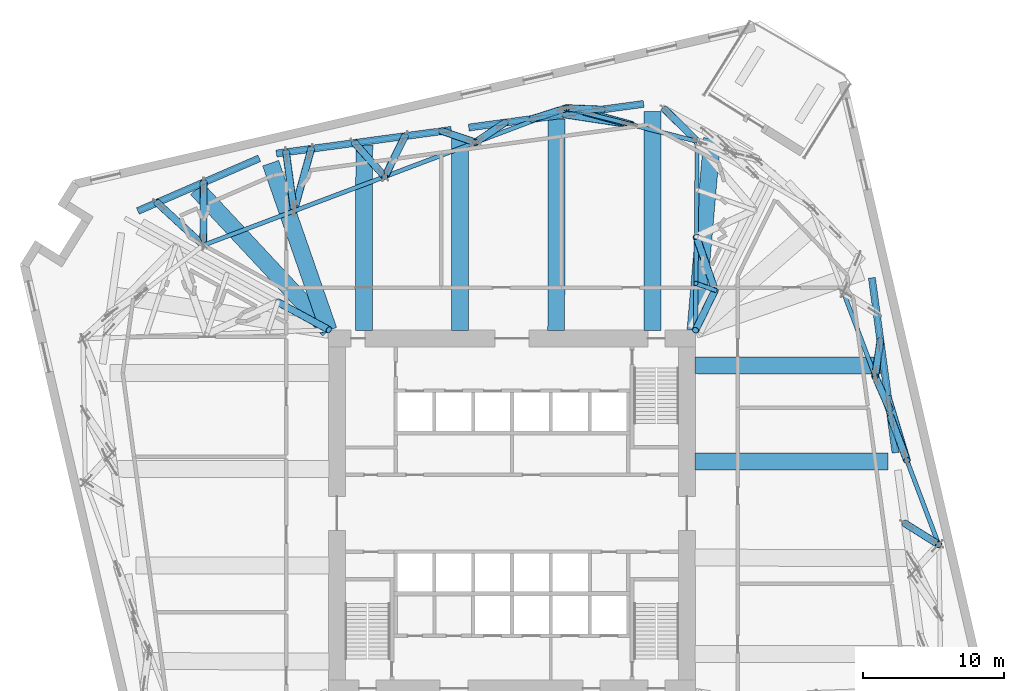
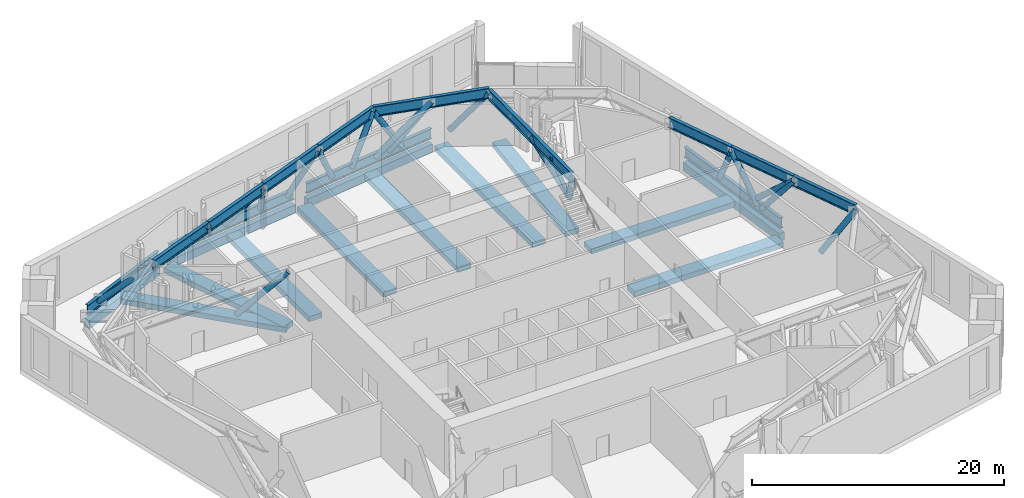
# One storey, part 3 of 17: 27 beams, 22 members.
"""IFC4 building model written with IfcOpenShell, lengths in metres."""

import ifcopenshell
import ifcopenshell.guid

model = None  # the IFC model being written
_history = None  # IfcOwnerHistory: only IFC2X3 demands one
_inside = {}  # id of a spatial element -> (the spatial element, [elements in it])
_under = {}  # id of a project, library or spatial element -> (it, [spatial elements below it])
_declared = {}  # id of a project -> (the project, [libraries it declares])
_typed = {}  # id of a type object -> (the type object, [elements of that type])
_made_of = {}  # id of a material, layer set ... -> (it, [elements and type objects made of it])


def new_model(schema):
    """Start an empty IFC model of exactly this schema.

    Asked for "IFC4X3", IfcOpenShell would pick the latest addendum, in which some entities
    have other attributes; the version numbers below select the first issue.
    IFC2X3 requires an IfcOwnerHistory on every rooted entity: one is made here for all.
    """
    global model, _history
    if schema == "IFC4X3":
        model = ifcopenshell.file(schema_version=(4, 3, 0, 0))
    else:
        model = ifcopenshell.file(schema=schema)
    _inside.clear()
    _under.clear()
    _declared.clear()
    _typed.clear()
    _made_of.clear()
    _history = None
    if model.schema == "IFC2X3":
        org = make("IfcOrganization", Name="unknown")
        user = make(
            "IfcPersonAndOrganization",
            ThePerson=make("IfcPerson", FamilyName="unknown"),
            TheOrganization=org,
        )
        app = make(
            "IfcApplication",
            ApplicationDeveloper=org,
            Version="unknown",
            ApplicationFullName="unknown",
            ApplicationIdentifier="unknown",
        )
        _history = make(
            "IfcOwnerHistory",
            OwningUser=user,
            OwningApplication=app,
            ChangeAction="ADDED",
            CreationDate=0,
        )
    return model


def make(cls, **values):
    """One entity of the class cls with the attributes given. An attribute that is None is left unset."""
    return model.create_entity(
        cls, **{name: value for name, value in values.items() if value is not None}
    )


def rooted(cls, **values):
    """An entity with a GlobalId (a new one), such as an element, a storey or a relation."""
    return make(cls, GlobalId=ifcopenshell.guid.new(), OwnerHistory=_history, **values)


def si_unit(unit_type, name, prefix=None):
    """IfcSIUnit, for example si_unit("LENGTHUNIT", "METRE", prefix="MILLI")."""
    return make("IfcSIUnit", UnitType=unit_type, Prefix=prefix, Name=name)


def assignment(units):
    """IfcUnitAssignment: the units of a project."""
    return None if units is None else make("IfcUnitAssignment", Units=units)


def point(xyz):
    """IfcCartesianPoint."""
    return None if xyz is None else make("IfcCartesianPoint", Coordinates=xyz)


def direction(xyz):
    """IfcDirection."""
    return None if xyz is None else make("IfcDirection", DirectionRatios=xyz)


def frame(location, z_axis=None, x_axis=None):
    """IfcAxis2Placement3D, a coordinate frame: its origin and axes. An axis left out is left unset."""
    return make(
        "IfcAxis2Placement3D",
        Location=point(location),
        Axis=direction(z_axis),
        RefDirection=direction(x_axis),
    )


def frame_2d(location, x_axis=None):
    """IfcAxis2Placement2D, a coordinate frame in the plane: its origin and x axis."""
    return make(
        "IfcAxis2Placement2D", Location=point(location), RefDirection=direction(x_axis)
    )


def origin():
    """The frame at (0, 0, 0) with its axes left unset."""
    return frame((0.0, 0.0, 0.0))


def origin_2d():
    """The frame at (0, 0) in the plane with its x axis left unset."""
    return frame_2d((0.0, 0.0))


def place(relative_to, where):
    """IfcLocalPlacement: puts the frame where relative to a parent placement (None: the world)."""
    return make(
        "IfcLocalPlacement", PlacementRelTo=relative_to, RelativePlacement=where
    )


def context(
    kind, dimensions, precision=None, world=None, true_north=None, identifier=None
):
    """IfcGeometricRepresentationContext, for example the 3D "Model" context."""
    return make(
        "IfcGeometricRepresentationContext",
        ContextIdentifier=identifier,
        ContextType=kind,
        CoordinateSpaceDimension=dimensions,
        Precision=precision,
        WorldCoordinateSystem=world,
        TrueNorth=true_north,
    )


def subcontext(parent, identifier, kind, view, scale=None):
    """IfcGeometricRepresentationSubContext, for example "Body" below "Model"."""
    return make(
        "IfcGeometricRepresentationSubContext",
        ContextIdentifier=identifier,
        ContextType=kind,
        ParentContext=parent,
        TargetScale=scale,
        TargetView=view,
    )


def project(units=None, contexts=None):
    """IfcProject with its units and contexts."""
    return rooted(
        "IfcProject",
        Name="project",
        RepresentationContexts=contexts,
        UnitsInContext=assignment(units),
    )


def spatial(cls, under=None, at=None, **own):
    """A site, building, storey or space (cls), placed at a placement, below another one or the project."""
    s = rooted(cls, ObjectPlacement=at, **own)
    if under is not None:
        _under.setdefault(under.id(), (under, []))[1].append(s)
    return s


def profile(cls, at=None, kind="AREA", **sizes):
    """A parametric profile (cls). Its sizes go by their IFC names, for example OverallWidth=200.0."""
    return make(cls, ProfileType=kind, Position=at, **sizes)


def rectangle(**sizes):
    """IfcRectangleProfileDef."""
    return profile("IfcRectangleProfileDef", **sizes)


def hollow_circle(**sizes):
    """IfcCircleHollowProfileDef."""
    return profile("IfcCircleHollowProfileDef", **sizes)


def i_section(**sizes):
    """IfcIShapeProfileDef."""
    return profile("IfcIShapeProfileDef", **sizes)


def extrude(swept, where, along, depth):
    """IfcExtrudedAreaSolid: the profile swept, set in the frame where, extruded along a direction by depth."""
    return make(
        "IfcExtrudedAreaSolid",
        SweptArea=swept,
        Position=where,
        ExtrudedDirection=direction(along),
        Depth=depth,
    )


def shape(context_of_items, identifier, shape_type, items):
    """IfcShapeRepresentation: the items that make up one representation, for example the "Body"."""
    return make(
        "IfcShapeRepresentation",
        ContextOfItems=context_of_items,
        RepresentationIdentifier=identifier,
        RepresentationType=shape_type,
        Items=items,
    )


def material(Name=None, Category=None):
    """IfcMaterial."""
    return make("IfcMaterial", Name=Name, Category=Category)


def material_profile(
    of_material, cross_section, Name=None, Category=None, Priority=None
):
    """IfcMaterialProfile: a cross section and its material."""
    return make(
        "IfcMaterialProfile",
        Name=Name,
        Material=of_material,
        Profile=cross_section,
        Priority=Priority,
        Category=Category,
    )


def profile_set(profiles, Name=None, composite=None):
    """IfcMaterialProfileSet."""
    return make(
        "IfcMaterialProfileSet",
        Name=Name,
        MaterialProfiles=profiles,
        CompositeProfile=composite,
    )


def made_of(thing, what):
    """Note that an element or type object is made of a material, layer set ...; save() writes the relation."""
    if what is not None:
        _made_of.setdefault(what.id(), (what, []))[1].append(thing)
    return thing


def type_object(cls, material=None, **own):
    """A type object (cls), such as IfcWallType, which elements share."""
    return made_of(rooted(cls, **own), material)


def element(
    cls,
    number,
    at=None,
    inside=None,
    cuts=None,
    type_object=None,
    material=None,
    context=None,
    identifier="Body",
    shape_type=None,
    held_by="IfcProductDefinitionShape",
    body=None,
    shapes=None,
    **own,
):
    """One element of the class cls, such as IfcWall. Its Tag is "e" and its number.

    at: its placement. inside: the storey or other place that contains it. cuts: it is an
    opening in that element (IfcRelVoidsElement). A single representation is given by context,
    identifier, shape_type and body (its items); several are given by shapes. held_by: the class
    of the entity that holds the representations. save() writes the other relations.
    """
    e = rooted(cls, Tag="e%d" % number, ObjectPlacement=at, **own)
    if body is not None:
        shapes = [shape(context, identifier, shape_type, body)]
    if shapes is not None:
        e.Representation = make(held_by, Representations=shapes)
    if inside is not None:
        _inside.setdefault(inside.id(), (inside, []))[1].append(e)
    if cuts is not None:
        rooted(
            "IfcRelVoidsElement", RelatingBuildingElement=cuts, RelatedOpeningElement=e
        )
    if type_object is not None:
        _typed.setdefault(type_object.id(), (type_object, []))[1].append(e)
    return made_of(e, material)


def aggregate(whole, parts):
    """IfcRelAggregates: a whole, such as a stair, and the parts it consists of."""
    return rooted("IfcRelAggregates", RelatingObject=whole, RelatedObjects=parts)


def save(model, path):
    """Write the relations noted so far, then the file.

    IfcRelAggregates (storeys below a building ...), IfcRelContainedInSpatialStructure (elements
    in a storey), IfcRelDefinesByType, IfcRelAssociatesMaterial and IfcRelDeclares: one each for
    every whole, place, type object, material and project.
    """
    for whole, parts in _under.values():
        aggregate(whole, parts)
    for where, things in _inside.values():
        rooted(
            "IfcRelContainedInSpatialStructure",
            RelatedElements=things,
            RelatingStructure=where,
        )
    for kind, things in _typed.values():
        rooted("IfcRelDefinesByType", RelatedObjects=things, RelatingType=kind)
    for what, things in _made_of.values():
        rooted("IfcRelAssociatesMaterial", RelatedObjects=things, RelatingMaterial=what)
    for by, libraries in _declared.values():
        rooted("IfcRelDeclares", RelatingContext=by, RelatedDefinitions=libraries)
    model.write(path)


model = new_model("IFC4")

# Units and contexts
model_context = context("Model", 3, precision=1e-05, world=origin(), true_north=direction((0.0, 1.0)))
body_context = subcontext(model_context, "Body", "Model", "MODEL_VIEW")
ifc_project = project(units=[si_unit("LENGTHUNIT", "METRE"), si_unit("AREAUNIT", "SQUARE_METRE"), si_unit("VOLUMEUNIT", "CUBIC_METRE"), si_unit("PLANEANGLEUNIT", "RADIAN"), si_unit("MASSUNIT", "GRAM", prefix="KILO")], contexts=[model_context])

# Site, building, storey
site_placement = place(None, origin())
site = spatial("IfcSite", under=ifc_project, at=site_placement, CompositionType="ELEMENT")
building_placement = place(site_placement, origin())
building = spatial("IfcBuilding", under=site, at=building_placement, Name="Dilmun Exchange Tower", CompositionType="ELEMENT")
storey_placement = place(building_placement, frame((0.0, 0.0, 76.5)))
storey = spatial("IfcBuildingStorey", under=building, at=storey_placement, Name="L17", CompositionType="ELEMENT", Elevation=76.5)

# Beams
ifc_material_1 = material(Name="Concrete C40/50", Category="concrete")
ifc_material_profile_1 = material_profile(ifc_material_1, rectangle(XDim=1.199951171875, YDim=0.5, at=origin_2d()), Name="1200 x 500")
ifc_profile_set_1 = profile_set([ifc_material_profile_1], Name="Concrete C40/50")
beam_type_1 = type_object("IfcBeamType", Name="RC band beam 1200 x 500 C40/50", PredefinedType="BEAM", material=ifc_profile_set_1)
beam_1_placement = place(storey_placement, frame((9.945068359375, 28.464111328125, -0.699951171875), z_axis=(0.0, -1.0, 0.0), x_axis=(1.0, 0.0, 0.0)))
element("IfcBeam", 1, at=beam_1_placement, inside=storey, type_object=beam_type_1, Name="Band beam 2", PredefinedType="BEAM", context=body_context, shape_type="SweptSolid", body=[
    extrude(rectangle(XDim=1.199951171875, YDim=0.5, at=origin_2d()), origin(), (0.0, 0.0, 1.0), 15.4912109375),
])
beam_2_placement = place(storey_placement, frame((-3.680908203125, 26.6240234375, -0.699951171875), z_axis=(0.0, -1.0, 0.0), x_axis=(1.0, 0.0, 0.0)))
element("IfcBeam", 2, at=beam_2_placement, inside=storey, type_object=beam_type_1, Name="Band beam 3", PredefinedType="BEAM", context=body_context, shape_type="SweptSolid", body=[
    extrude(rectangle(XDim=1.199951171875, YDim=0.5, at=origin_2d()), origin(), (0.0, 0.0, 1.0), 13.651123046875),
])
beam_3_placement = place(storey_placement, frame((-17.098388671875, 24.81103515625, -0.699951171875), z_axis=(0.327819910959, -0.94474023201, 0.0), x_axis=(0.94474023201, 0.327819910959, 0.0)))
element("IfcBeam", 3, at=beam_3_placement, inside=storey, type_object=beam_type_1, Name="Band beam 4", PredefinedType="BEAM", context=body_context, shape_type="SweptSolid", body=[
    extrude(rectangle(XDim=1.199951171875, YDim=0.5, at=origin_2d()), origin(), (0.0, 0.0, 1.0), 12.52880859375),
])
beam_4_placement = place(storey_placement, frame((26.6240234375, 3.680908203125, -0.699951171875), z_axis=(-1.0, 0.0, 0.0), x_axis=(0.0, -1.0, 0.0)))
element("IfcBeam", 4, at=beam_4_placement, inside=storey, type_object=beam_type_1, Name="Band beam 15", PredefinedType="BEAM", context=body_context, shape_type="SweptSolid", body=[
    extrude(rectangle(XDim=1.199951171875, YDim=0.5, at=origin_2d()), origin(), (0.0, 0.0, 1.0), 13.651123046875),
])
beam_5_placement = place(storey_placement, frame((14.177978515625, 26.568603515625, -0.699951171875), z_axis=(-0.086499148019, -0.996251924662, 0.0), x_axis=(0.996251924662, -0.086499148019, 0.0)))
element("IfcBeam", 5, at=beam_5_placement, inside=storey, type_object=beam_type_1, Name="Band beam 17", PredefinedType="BEAM", context=body_context, shape_type="SweptSolid", body=[
    extrude(rectangle(XDim=1.199951171875, YDim=0.5, at=origin_2d()), origin(), (0.0, 0.0, 1.0), 13.646728515625),
])
beam_6_placement = place(storey_placement, frame((3.161865234375, 27.951904296875, -0.699951171875), z_axis=(-0.001988456479, -0.999998023018, 0.0), x_axis=(0.999998023018, -0.001988456479, 0.0)))
element("IfcBeam", 6, at=beam_6_placement, inside=storey, type_object=beam_type_1, Name="Band beam 18", PredefinedType="BEAM", context=body_context, shape_type="SweptSolid", body=[
    extrude(rectangle(XDim=1.199951171875, YDim=0.5, at=origin_2d()), origin(), (0.0, 0.0, 1.0), 14.97900390625),
])
beam_7_placement = place(storey_placement, frame((-10.464111328125, 26.111572265625, -0.699951171875), z_axis=(-0.002266977971, -0.999997430402, 0.0), x_axis=(0.999997430402, -0.002266977971, 0.0)))
element("IfcBeam", 7, at=beam_7_placement, inside=storey, type_object=beam_type_1, Name="Band beam 19", PredefinedType="BEAM", context=body_context, shape_type="SweptSolid", body=[
    extrude(rectangle(XDim=1.199951171875, YDim=0.5, at=origin_2d()), origin(), (0.0, 0.0, 1.0), 13.138671875),
])
beam_8_placement = place(storey_placement, frame((-22.330322265625, 22.990966796875, -0.699951171875), z_axis=(0.682523984798, -0.730863195253, 0.0), x_axis=(0.730863195253, 0.682523984798, 0.0)))
element("IfcBeam", 8, at=beam_8_placement, inside=storey, type_object=beam_type_1, Name="Band beam 20", PredefinedType="BEAM", context=body_context, shape_type="SweptSolid", body=[
    extrude(rectangle(XDim=1.199951171875, YDim=0.5, at=origin_2d()), origin(), (0.0, 0.0, 1.0), 13.697265625),
])
beam_9_placement = place(storey_placement, frame((26.111572265625, 10.464111328125, -0.699951171875), z_axis=(-0.999997430402, 0.002266977971, 0.0), x_axis=(-0.002266977971, -0.999997430402, 0.0)))
element("IfcBeam", 9, at=beam_9_placement, inside=storey, type_object=beam_type_1, Name="Band beam 31", PredefinedType="BEAM", context=body_context, shape_type="SweptSolid", body=[
    extrude(rectangle(XDim=1.199951171875, YDim=0.5, at=origin_2d()), origin(), (0.0, 0.0, 1.0), 13.138671875),
])
ifc_material_profile_2 = material_profile(ifc_material_1, rectangle(XDim=0.5, YDim=0.800048828125, at=origin_2d()), Name="500 x 800")
ifc_profile_set_2 = profile_set([ifc_material_profile_2], Name="Concrete C40/50")
beam_type_2 = type_object("IfcBeamType", Name="RC ring beam 500 x 800 C40/50", PredefinedType="SPANDREL", material=ifc_profile_set_2)
for number, where, z_axis, x_axis, name in (
    (10, (9.32763671875, 29.009521484375, -0.85009765625), (-0.991007411355, -0.133806990248, 0.0), (0.133806990248, -0.991007411355, 0.0), "Ring beam 2"),
    (11, (-4.29833984375, 27.169677734375, -0.85009765625), (-0.990994461239, -0.133902867012, 0.0), (0.133902867012, -0.990994461239, 0.0), "Ring beam 3"),
):
    element("IfcBeam", number, at=place(storey_placement, frame(where, z_axis=z_axis, x_axis=x_axis)), inside=storey, type_object=beam_type_2, Name=name, PredefinedType="SPANDREL", context=body_context, shape_type="SweptSolid", body=[
        extrude(rectangle(XDim=0.5, YDim=0.800048828125, at=origin_2d()), origin(), (0.0, 0.0, 1.0), 12.50390625),
    ])
beam_10_placement = place(storey_placement, frame((-17.90185546875, 25.154052734375, -0.85009765625), z_axis=(-0.917467286901, -0.397811233459, 0.0), x_axis=(0.397811233459, -0.917467286901, 0.0)))
element("IfcBeam", 12, at=beam_10_placement, inside=storey, type_object=beam_type_2, Name="Ring beam 4", PredefinedType="SPANDREL", context=body_context, shape_type="SweptSolid", body=[
    extrude(rectangle(XDim=0.5, YDim=0.800048828125, at=origin_2d()), origin(), (0.0, 0.0, 1.0), 9.37939453125),
])
beam_11_placement = place(storey_placement, frame((27.169677734375, 4.29833984375, -0.85009765625), z_axis=(-0.133902867012, 0.990994461239, 0.0), x_axis=(-0.990994461239, -0.133902867012, 0.0)))
element("IfcBeam", 13, at=beam_11_placement, inside=storey, type_object=beam_type_2, Name="Ring beam 15", PredefinedType="SPANDREL", context=body_context, shape_type="SweptSolid", body=[
    extrude(rectangle(XDim=0.5, YDim=0.800048828125, at=origin_2d()), origin(), (0.0, 0.0, 1.0), 12.50390625),
])
ifc_material_2 = material(Name="Steel S355", Category="steel")
ifc_material_profile_3 = material_profile(ifc_material_2, i_section(OverallWidth=0.300048828125, OverallDepth=1.0, WebThickness=0.01904296875, FlangeThickness=0.035888671875, FilletRadius=0.030029296875, at=origin_2d()), Name="HEB 1000")
ifc_profile_set_3 = profile_set([ifc_material_profile_3], Name="Steel S355")
beam_type_3 = type_object("IfcBeamType", Name="belt bottom chord HEB 1000", PredefinedType="BEAM", material=ifc_profile_set_3)
for number, where, z_axis, x_axis, name in (
    (14, (9.32763671875, 29.009521484375, 0.5), (-0.991007411355, -0.133806990248, 0.0), (0.133806990248, -0.991007411355, 0.0), "Belt bottom chord 2"),
    (15, (-4.29833984375, 27.169677734375, 0.5), (-0.990994461239, -0.133902867012, 0.0), (0.133902867012, -0.990994461239, 0.0), "Belt bottom chord 3"),
):
    element("IfcBeam", number, at=place(storey_placement, frame(where, z_axis=z_axis, x_axis=x_axis)), inside=storey, type_object=beam_type_3, Name=name, PredefinedType="BEAM", context=body_context, shape_type="SweptSolid", body=[
        extrude(i_section(OverallWidth=0.300048828125, OverallDepth=1.0, WebThickness=0.01904296875, FlangeThickness=0.035888671875, FilletRadius=0.030029296875, at=origin_2d()), origin(), (0.0, 0.0, 1.0), 12.50390625),
    ])
beam_12_placement = place(storey_placement, frame((-17.90185546875, 25.154052734375, 0.5), z_axis=(-0.917467286901, -0.397811233459, 0.0), x_axis=(0.397811233459, -0.917467286901, 0.0)))
element("IfcBeam", 16, at=beam_12_placement, inside=storey, type_object=beam_type_3, Name="Belt bottom chord 4", PredefinedType="BEAM", context=body_context, shape_type="SweptSolid", body=[
    extrude(i_section(OverallWidth=0.300048828125, OverallDepth=1.0, WebThickness=0.01904296875, FlangeThickness=0.035888671875, FilletRadius=0.030029296875, at=origin_2d()), origin(), (0.0, 0.0, 1.0), 9.37939453125),
])
beam_13_placement = place(storey_placement, frame((27.169677734375, 4.29833984375, 0.5), z_axis=(-0.133902867012, 0.990994461239, 0.0), x_axis=(-0.990994461239, -0.133902867012, 0.0)))
element("IfcBeam", 17, at=beam_13_placement, inside=storey, type_object=beam_type_3, Name="Belt bottom chord 15", PredefinedType="BEAM", context=body_context, shape_type="SweptSolid", body=[
    extrude(i_section(OverallWidth=0.300048828125, OverallDepth=1.0, WebThickness=0.01904296875, FlangeThickness=0.035888671875, FilletRadius=0.030029296875, at=origin_2d()), origin(), (0.0, 0.0, 1.0), 12.50390625),
])
ifc_material_profile_4 = material_profile(ifc_material_2, i_section(OverallWidth=0.300048828125, OverallDepth=1.0, WebThickness=0.01904296875, FlangeThickness=0.035888671875, FilletRadius=0.030029296875, at=origin_2d()), Name="HEB 1000")
ifc_profile_set_4 = profile_set([ifc_material_profile_4], Name="Steel S355")
beam_type_4 = type_object("IfcBeamType", Name="outrigger chord HEB 1000", PredefinedType="BEAM", material=ifc_profile_set_4)
beam_14_placement = place(storey_placement, frame((12.999755859375, 12.972900390625, 4.580078125), z_axis=(0.009133889053, 0.999958285165, 0.0), x_axis=(-0.999958285165, 0.009133889053, 0.0)))
element("IfcBeam", 18, at=beam_14_placement, inside=storey, type_object=beam_type_4, Name="Outrigger top chord 1", PredefinedType="BEAM", context=body_context, shape_type="SweptSolid", body=[
    extrude(i_section(OverallWidth=0.300048828125, OverallDepth=1.0, WebThickness=0.01904296875, FlangeThickness=0.035888671875, FilletRadius=0.030029296875, at=origin_2d()), origin(), (0.0, 0.0, 1.0), 13.257568359375),
])

# Member
ifc_material_profile_5 = material_profile(ifc_material_2, hollow_circle(Radius=0.161865234375, WallThickness=0.01611328125, at=origin_2d()), Name="CHS 323.9x16")
ifc_profile_set_5 = profile_set([ifc_material_profile_5], Name="Steel S355")
member_type_1 = type_object("IfcMemberType", Name="outrigger post CHS 323.9x16", PredefinedType="POST", material=ifc_profile_set_5)
member_1_placement = place(storey_placement, frame((13.030029296875, 16.287353515625, 4.580078125), z_axis=(0.312866668482, -0.10957672384, -0.943455027728), x_axis=(0.330547644137, 0.943789306443, 0.0)))
element("IfcMember", 19, at=member_1_placement, inside=storey, type_object=member_type_1, Name="Outrigger post 1.1", PredefinedType="POST", context=body_context, shape_type="SweptSolid", body=[
    extrude(hollow_circle(Radius=0.161865234375, WallThickness=0.01611328125, at=origin_2d()), origin(), (0.0, 0.0, 1.0), 4.32470703125),
])

# Beams
ifc_material_profile_6 = material_profile(ifc_material_2, i_section(OverallWidth=0.302001953125, OverallDepth=1.008056640625, WebThickness=0.02099609375, FlangeThickness=0.0400390625, FilletRadius=0.030029296875, at=origin_2d()), Name="HEM 1000")
ifc_profile_set_6 = profile_set([ifc_material_profile_6], Name="Steel S355")
beam_type_5 = type_object("IfcBeamType", Name="transfer chord HEM 1000", PredefinedType="BEAM", material=ifc_profile_set_6)
for number, where, z_axis, x_axis, name in (
    (20, (13.1220703125, 26.35400390625, 4.676025390625), (-0.969085412739, 0.246725480681, 0.0), (-0.246725480681, -0.969085412739, 0.0), "Transfer chord 1"),
    (21, (8.487548828125, 27.533935546875, 4.676025390625), (-0.969073205709, 0.246773422346, 0.0), (-0.246773422346, -0.969073205709, 0.0), "Transfer chord 2"),
):
    element("IfcBeam", number, at=place(storey_placement, frame(where, z_axis=z_axis, x_axis=x_axis)), inside=storey, type_object=beam_type_5, Name=name, PredefinedType="BEAM", context=body_context, shape_type="SweptSolid", body=[
        extrude(i_section(OverallWidth=0.302001953125, OverallDepth=1.008056640625, WebThickness=0.02099609375, FlangeThickness=0.0400390625, FilletRadius=0.030029296875, at=origin_2d()), origin(), (0.0, 0.0, 1.0), 4.782470703125),
    ])
beam_15_placement = place(storey_placement, frame((3.85302734375, 28.714111328125, 4.676025390625), z_axis=(-0.935474180666, -0.35339504426, 0.0), x_axis=(0.35339504426, -0.935474180666, 0.0)))
element("IfcBeam", 22, at=beam_15_placement, inside=storey, type_object=beam_type_5, Name="Transfer chord 3", PredefinedType="BEAM", context=body_context, shape_type="SweptSolid", body=[
    extrude(i_section(OverallWidth=0.302001953125, OverallDepth=1.008056640625, WebThickness=0.02099609375, FlangeThickness=0.0400390625, FilletRadius=0.030029296875, at=origin_2d()), origin(), (0.0, 0.0, 1.0), 6.875244140625),
])
for number, where, z_axis, x_axis, name in (
    (23, (-2.57861328125, 26.284423828125, 4.676025390625), (-0.935481485335, -0.35337570742, 0.0), (0.35337570742, -0.935481485335, 0.0), "Transfer chord 4"),
    (24, (-9.010009765625, 23.85498046875, 4.676025390625), (-0.935481485335, -0.35337570742, 0.0), (0.35337570742, -0.935481485335, 0.0), "Transfer chord 5"),
):
    element("IfcBeam", number, at=place(storey_placement, frame(where, z_axis=z_axis, x_axis=x_axis)), inside=storey, type_object=beam_type_5, Name=name, PredefinedType="BEAM", context=body_context, shape_type="SweptSolid", body=[
        extrude(i_section(OverallWidth=0.302001953125, OverallDepth=1.008056640625, WebThickness=0.02099609375, FlangeThickness=0.0400390625, FilletRadius=0.030029296875, at=origin_2d()), origin(), (0.0, 0.0, 1.0), 6.875),
    ])
beam_16_placement = place(storey_placement, frame((-15.44140625, 21.425537109375, 4.676025390625), z_axis=(-0.935485919601, -0.353363968492, 0.0), x_axis=(0.353363968492, -0.935485919601, 0.0)))
element("IfcBeam", 25, at=beam_16_placement, inside=storey, type_object=beam_type_5, Name="Transfer chord 6", PredefinedType="BEAM", context=body_context, shape_type="SweptSolid", body=[
    extrude(i_section(OverallWidth=0.302001953125, OverallDepth=1.008056640625, WebThickness=0.02099609375, FlangeThickness=0.0400390625, FilletRadius=0.030029296875, at=origin_2d()), origin(), (0.0, 0.0, 1.0), 6.875244140625),
])
beam_17_placement = place(storey_placement, frame((30.23095703125, -2.2099609375, 4.676025390625), z_axis=(-0.353346942862, 0.935492350568, 0.0), x_axis=(-0.935492350568, -0.353346942862, 0.0)))
element("IfcBeam", 26, at=beam_17_placement, inside=storey, type_object=beam_type_5, Name="Transfer chord 27", PredefinedType="BEAM", context=body_context, shape_type="SweptSolid", body=[
    extrude(i_section(OverallWidth=0.302001953125, OverallDepth=1.008056640625, WebThickness=0.02099609375, FlangeThickness=0.0400390625, FilletRadius=0.030029296875, at=origin_2d()), origin(), (0.0, 0.0, 1.0), 6.37451171875),
])
beam_18_placement = place(storey_placement, frame((27.978515625, 3.75341796875, 4.676025390625), z_axis=(-0.353334283406, 0.935497132101, 0.0), x_axis=(-0.935497132101, -0.353334283406, 0.0)))
element("IfcBeam", 27, at=beam_18_placement, inside=storey, type_object=beam_type_5, Name="Transfer chord 28", PredefinedType="BEAM", context=body_context, shape_type="SweptSolid", body=[
    extrude(i_section(OverallWidth=0.302001953125, OverallDepth=1.008056640625, WebThickness=0.02099609375, FlangeThickness=0.0400390625, FilletRadius=0.030029296875, at=origin_2d()), origin(), (0.0, 0.0, 1.0), 6.374755859375),
])
beam_19_placement = place(storey_placement, frame((25.72607421875, 9.717041015625, 4.676025390625), z_axis=(-0.353355139646, 0.9354892545, 0.0), x_axis=(-0.9354892545, -0.353355139646, 0.0)))
element("IfcBeam", 28, at=beam_19_placement, inside=storey, type_object=beam_type_5, Name="Transfer chord 29", PredefinedType="BEAM", context=body_context, shape_type="SweptSolid", body=[
    extrude(i_section(OverallWidth=0.302001953125, OverallDepth=1.008056640625, WebThickness=0.02099609375, FlangeThickness=0.0400390625, FilletRadius=0.030029296875, at=origin_2d()), origin(), (0.0, 0.0, 1.0), 6.375244140625),
])

# Members
ifc_material_profile_7 = material_profile(ifc_material_2, hollow_circle(Radius=0.25390625, WallThickness=0.030029296875, at=origin_2d()), Name="CHS 508x30")
ifc_profile_set_7 = profile_set([ifc_material_profile_7], Name="Steel S355")
member_type_2 = type_object("IfcMemberType", Name="truss diagonal CHS 508x30", PredefinedType="BRACE", material=ifc_profile_set_7)
member_2_placement = place(storey_placement, frame((13.1220703125, 26.35400390625, 4.676025390625), z_axis=(-0.435085216572, 0.429440767782, -0.791379479951), x_axis=(-0.702475142722, -0.711708278621, 0.0)))
element("IfcMember", 29, at=member_2_placement, inside=storey, type_object=member_type_2, Name="Truss diagonal 1", PredefinedType="BRACE", context=body_context, shape_type="SweptSolid", body=[
    extrude(hollow_circle(Radius=0.25390625, WallThickness=0.030029296875, at=origin_2d()), origin(), (0.0, 0.0, 1.0), 5.27685546875),
])
member_3_placement = place(storey_placement, frame((8.487548828125, 27.533935546875, 4.676025390625), z_axis=(-0.617131944393, 0.167475136548, -0.768830437644), x_axis=(-0.26190386875, -0.965093966168, 0.0)))
element("IfcMember", 30, at=member_3_placement, inside=storey, type_object=member_type_2, Name="Truss diagonal 3", PredefinedType="BRACE", context=body_context, shape_type="SweptSolid", body=[
    extrude(hollow_circle(Radius=0.25390625, WallThickness=0.030029296875, at=origin_2d()), origin(), (0.0, 0.0, 1.0), 5.431640625),
])
member_4_placement = place(storey_placement, frame((8.487548828125, 27.533935546875, 4.676025390625), z_axis=(-0.745427323524, 0.113588194054, -0.656837748242), x_axis=(-0.150641090165, -0.98858852004, 0.0)))
element("IfcMember", 31, at=member_4_placement, inside=storey, type_object=member_type_2, Name="Truss diagonal 4", PredefinedType="BRACE", context=body_context, shape_type="SweptSolid", body=[
    extrude(hollow_circle(Radius=0.25390625, WallThickness=0.030029296875, at=origin_2d()), origin(), (0.0, 0.0, 1.0), 6.357666015625),
])
for number, where, z_axis, x_axis, name in (
    (32, (3.85302734375, 28.714111328125, 4.676025390625), (-0.494927204045, -0.157615355684, -0.854520018694), (0.303445810096, -0.952848697504, 0.0), "Truss diagonal 5"),
    (33, (3.85302734375, 28.714111328125, 4.676025390625), (0.519006069228, -0.020732266698, -0.854519088858), (0.039914264118, 0.999203108242, 0.0), "Truss diagonal 6"),
):
    element("IfcMember", number, at=place(storey_placement, frame(where, z_axis=z_axis, x_axis=x_axis)), inside=storey, type_object=member_type_2, Name=name, PredefinedType="BRACE", context=body_context, shape_type="SweptSolid", body=[
        extrude(hollow_circle(Radius=0.25390625, WallThickness=0.030029296875, at=origin_2d()), origin(), (0.0, 0.0, 1.0), 4.886962890625),
    ])
member_5_placement = place(storey_placement, frame((-2.57861328125, 26.284423828125, 4.676025390625), z_axis=(-0.488129163984, 0.163494951526, -0.857321013445), x_axis=(-0.317600262538, -0.948224695542, 0.0)))
element("IfcMember", 34, at=member_5_placement, inside=storey, type_object=member_type_2, Name="Truss diagonal 7", PredefinedType="BRACE", context=body_context, shape_type="SweptSolid", body=[
    extrude(hollow_circle(Radius=0.25390625, WallThickness=0.030029296875, at=origin_2d()), origin(), (0.0, 0.0, 1.0), 4.87109375),
])
member_6_placement = place(storey_placement, frame((-2.57861328125, 26.284423828125, 4.676025390625), z_axis=(0.427359657304, 0.28712835425, -0.857275353369), x_axis=(-0.557684335127, 0.8300531202, 0.0)))
element("IfcMember", 35, at=member_6_placement, inside=storey, type_object=member_type_2, Name="Truss diagonal 8", PredefinedType="BRACE", context=body_context, shape_type="SweptSolid", body=[
    extrude(hollow_circle(Radius=0.25390625, WallThickness=0.030029296875, at=origin_2d()), origin(), (0.0, 0.0, 1.0), 4.871337890625),
])
for number, where, z_axis, x_axis, name in (
    (36, (-9.010009765625, 23.85498046875, 4.676025390625), (-0.406284382623, 0.45371977676, -0.793140192282), (-0.744976423695, -0.667090794524, 0.0), "Truss diagonal 9"),
    (37, (-9.010009765625, 23.85498046875, 4.676025390625), (0.271300716169, 0.545290791686, -0.793129165968), (-0.895308574563, 0.445446468517, 0.0), "Truss diagonal 10"),
):
    element("IfcMember", number, at=place(storey_placement, frame(where, z_axis=z_axis, x_axis=x_axis)), inside=storey, type_object=member_type_2, Name=name, PredefinedType="BRACE", context=body_context, shape_type="SweptSolid", body=[
        extrude(hollow_circle(Radius=0.25390625, WallThickness=0.030029296875, at=origin_2d()), origin(), (0.0, 0.0, 1.0), 5.26513671875),
    ])
member_7_placement = place(storey_placement, frame((-15.44140625, 21.425537109375, 4.676025390625), z_axis=(-0.094967568572, 0.702776494862, -0.705043515813), x_axis=(-0.990992847355, -0.133914810575, 0.0)))
element("IfcMember", 38, at=member_7_placement, inside=storey, type_object=member_type_2, Name="Truss diagonal 11", PredefinedType="BRACE", context=body_context, shape_type="SweptSolid", body=[
    extrude(hollow_circle(Radius=0.25390625, WallThickness=0.030029296875, at=origin_2d()), origin(), (0.0, 0.0, 1.0), 5.923095703125),
])
member_8_placement = place(storey_placement, frame((-15.44140625, 21.425537109375, 4.676025390625), z_axis=(0.197269687447, 0.711346132044, -0.67458976485), x_axis=(-0.963631867537, 0.267233276122, 0.0)))
element("IfcMember", 39, at=member_8_placement, inside=storey, type_object=member_type_2, Name="Truss diagonal 12", PredefinedType="BRACE", context=body_context, shape_type="SweptSolid", body=[
    extrude(hollow_circle(Radius=0.25390625, WallThickness=0.030029296875, at=origin_2d()), origin(), (0.0, 0.0, 1.0), 6.1904296875),
])
for number, where, z_axis, x_axis, name in (
    (40, (-21.873046875, 18.99609375, 4.676025390625), (-0.535903075217, 0.494538206616, -0.684280539085), (-0.678175284061, -0.734900186481, 0.0), "Truss diagonal 13"),
    (41, (-21.873046875, 18.99609375, 4.676025390625), (0.005280598081, 0.729202589495, -0.684277501279), (-0.9999737806, 0.007241416449, 0.0), "Truss diagonal 14"),
):
    element("IfcMember", number, at=place(storey_placement, frame(where, z_axis=z_axis, x_axis=x_axis)), inside=storey, type_object=member_type_2, Name=name, PredefinedType="BRACE", context=body_context, shape_type="SweptSolid", body=[
        extrude(hollow_circle(Radius=0.25390625, WallThickness=0.030029296875, at=origin_2d()), origin(), (0.0, 0.0, 1.0), 6.102783203125),
    ])
member_9_placement = place(storey_placement, frame((30.23095703125, -2.2099609375, 4.676025390625), z_axis=(-0.473485334648, 0.296764666535, -0.829302339663), x_axis=(-0.531074761129, -0.84732496605, 0.0)))
element("IfcMember", 42, at=member_9_placement, inside=storey, type_object=member_type_2, Name="Truss diagonal 53", PredefinedType="BRACE", context=body_context, shape_type="SweptSolid", body=[
    extrude(hollow_circle(Radius=0.25390625, WallThickness=0.030029296875, at=origin_2d()), origin(), (0.0, 0.0, 1.0), 5.03564453125),
])
member_10_placement = place(storey_placement, frame((27.978515625, 3.75341796875, 4.676025390625), z_axis=(-0.21663493945, 0.578704410709, -0.78623820057), x_axis=(-0.936530784655, -0.350585352508, 0.0)))
element("IfcMember", 43, at=member_10_placement, inside=storey, type_object=member_type_2, Name="Truss diagonal 55", PredefinedType="BRACE", context=body_context, shape_type="SweptSolid", body=[
    extrude(hollow_circle(Radius=0.25390625, WallThickness=0.030029296875, at=origin_2d()), origin(), (0.0, 0.0, 1.0), 5.311279296875),
])
member_11_placement = place(storey_placement, frame((27.978515625, 3.75341796875, 4.676025390625), z_axis=(-0.214075176303, 0.709396375535, -0.671512175071), x_axis=(-0.957358404715, -0.288902898778, 0.0)))
element("IfcMember", 44, at=member_11_placement, inside=storey, type_object=member_type_2, Name="Truss diagonal 56", PredefinedType="BRACE", context=body_context, shape_type="SweptSolid", body=[
    extrude(hollow_circle(Radius=0.25390625, WallThickness=0.030029296875, at=origin_2d()), origin(), (0.0, 0.0, 1.0), 6.21875),
])
for number, where, z_axis, x_axis, name in (
    (45, (25.72607421875, 9.717041015625, 4.676025390625), (0.075747247785, 0.515510419547, -0.853528770336), (-0.989376562694, 0.145375435308, 0.0), "Truss diagonal 57"),
    (46, (25.72607421875, 9.717041015625, 4.676025390625), (0.209825946938, -0.47693612386, -0.853525046937), (0.915333388801, 0.402696892646, 0.0), "Truss diagonal 58"),
):
    element("IfcMember", number, at=place(storey_placement, frame(where, z_axis=z_axis, x_axis=x_axis)), inside=storey, type_object=member_type_2, Name=name, PredefinedType="BRACE", context=body_context, shape_type="SweptSolid", body=[
        extrude(hollow_circle(Radius=0.25390625, WallThickness=0.030029296875, at=origin_2d()), origin(), (0.0, 0.0, 1.0), 4.892578125),
    ])
member_12_placement = place(storey_placement, frame((12.999755859375, 12.972900390625, 4.580078125), z_axis=(0.268062259755, 0.550459652708, -0.790655927465), x_axis=(-0.899060847174, 0.43782370091, 0.0)))
element("IfcMember", 47, at=member_12_placement, inside=storey, type_object=member_type_2, Name="Outrigger diagonal 1.0", PredefinedType="BRACE", context=body_context, shape_type="SweptSolid", body=[
    extrude(hollow_circle(Radius=0.25390625, WallThickness=0.030029296875, at=origin_2d()), origin(), (0.0, 0.0, 1.0), 5.160400390625),
])
member_13_placement = place(storey_placement, frame((13.060302734375, 19.6015625, 4.580078125), z_axis=(0.231152111627, -0.661970499079, -0.712996325123), x_axis=(0.944097159474, 0.329667337589, 0.0)))
element("IfcMember", 48, at=member_13_placement, inside=storey, type_object=member_type_2, Name="Outrigger diagonal 1.1", PredefinedType="BRACE", context=body_context, shape_type="SweptSolid", body=[
    extrude(hollow_circle(Radius=0.25390625, WallThickness=0.030029296875, at=origin_2d()), origin(), (0.0, 0.0, 1.0), 5.722412109375),
])
member_14_placement = place(storey_placement, frame((-12.972900390625, 13.0009765625, 4.580078125), z_axis=(-0.623709190054, 0.339760810899, -0.703952723995), x_axis=(-0.478370047688, -0.87815835558, 0.0)))
element("IfcMember", 49, at=member_14_placement, inside=storey, type_object=member_type_2, Name="Outrigger diagonal 2.0", PredefinedType="BRACE", context=body_context, shape_type="SweptSolid", body=[
    extrude(hollow_circle(Radius=0.25390625, WallThickness=0.030029296875, at=origin_2d()), origin(), (0.0, 0.0, 1.0), 5.7958984375),
])

save(model, "model.ifc")
